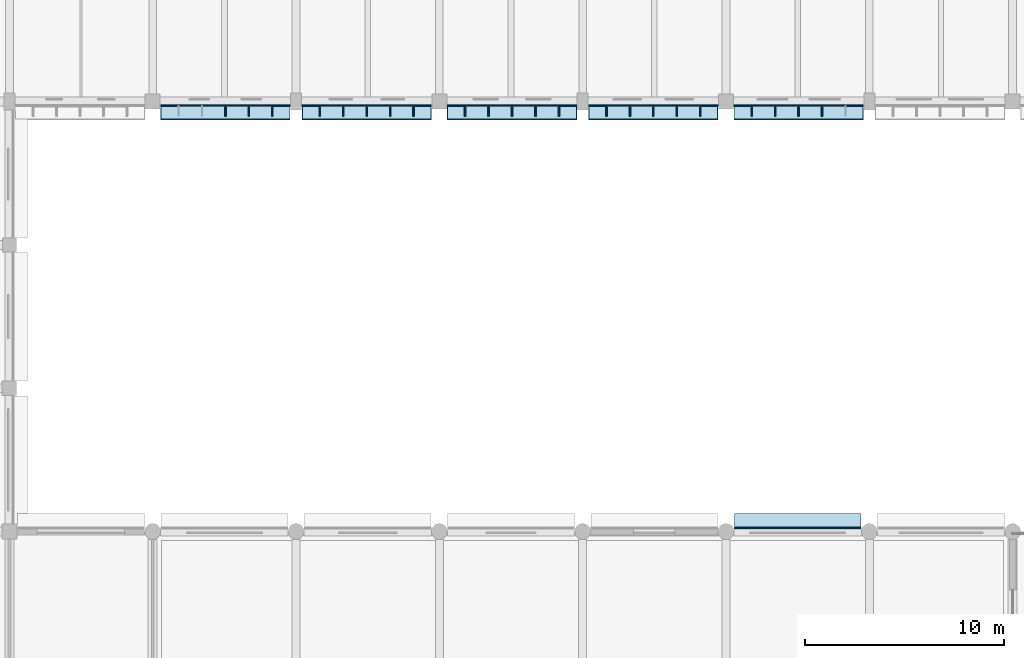
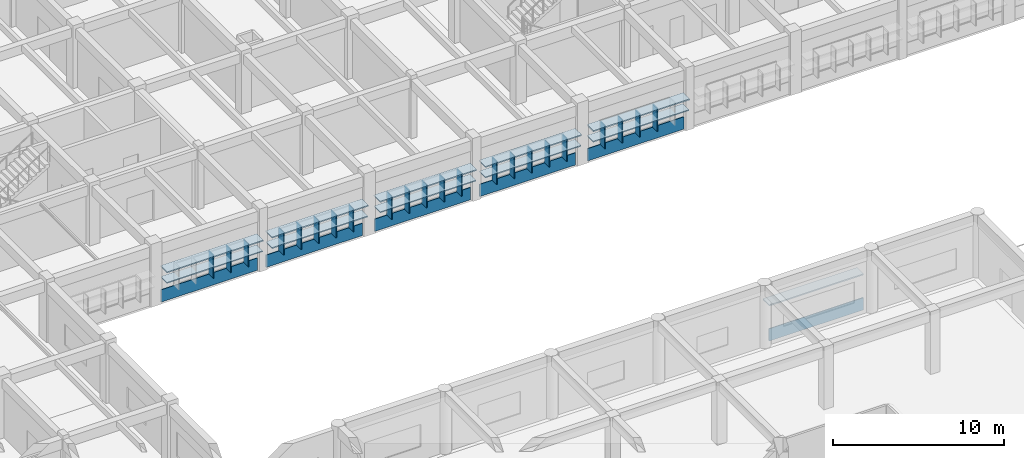
# One storey, part 24 of 61: 39 plates.
"""IFC4 building model written with IfcOpenShell, lengths in metres."""

from ifc_helpers import new_model, si_unit, direction, frame, origin, origin_2d, place, context, subcontext, project, spatial, rectangle, extrude, material, layer, layer_set, type_object, element, save


model = new_model("IFC4")

# Units and contexts
model_context = context("Model", 3, precision=1e-05, world=origin(), true_north=direction((0.0, 1.0)))
body_context = subcontext(model_context, "Body", "Model", "MODEL_VIEW")
ifc_project = project(units=[si_unit("LENGTHUNIT", "METRE"), si_unit("AREAUNIT", "SQUARE_METRE"), si_unit("VOLUMEUNIT", "CUBIC_METRE"), si_unit("PLANEANGLEUNIT", "RADIAN"), si_unit("MASSUNIT", "GRAM", prefix="KILO")], contexts=[model_context])

# Site, building, storey
site_placement = place(None, origin())
site = spatial("IfcSite", under=ifc_project, at=site_placement, CompositionType="ELEMENT")
building_placement = place(site_placement, origin())
building = spatial("IfcBuilding", under=site, at=building_placement, Name="Thalmaran Polytechnic", CompositionType="ELEMENT")
storey_placement = place(building_placement, frame((0.0, 0.0, 9.89990234375)))
storey = spatial("IfcBuildingStorey", under=building, at=storey_placement, Name="L02", CompositionType="ELEMENT", Elevation=9.89990234375)

# Plates
ifc_material_1 = material(Name="Anodised aluminium spandrel band", Category="aluminium")
ifc_layer_1 = layer(ifc_material_1, 0.054931640625, Name="Anodised aluminium spandrel band")
ifc_layer_set_1 = layer_set([ifc_layer_1], Name="Anodised aluminium spandrel band")
plate_type_1 = type_object("IfcPlateType", Name="PT-BD01", PredefinedType="SHEET", material=ifc_layer_set_1)
for number, where, z_axis, x_axis, name in (
    (1, (61.25, 93.405029296875, 0.020263671875), (0.0, 0.0, 1.0), (-1.0, 0.0, 0.0), "Streamline Horizontal Spandrel Band L02-103"),
    (2, (53.949951171875, 93.405029296875, 0.020263671875), (0.0, 0.0, 1.0), (-1.0, 0.0, 0.0), "Streamline Horizontal Spandrel Band L02-104"),
    (3, (46.85009765625, 93.405029296875, 0.020263671875), (0.0, 0.0, 1.0), (-1.0, 0.0, 0.0), "Streamline Horizontal Spandrel Band L02-105"),
    (4, (39.550048828125, 93.405029296875, 0.020263671875), (0.0, 0.0, 1.0), (-1.0, 0.0, 0.0), "Streamline Horizontal Spandrel Band L02-106"),
    (5, (32.449951171875, 93.405029296875, 0.020263671875), (0.0, 0.0, 1.0), (-1.0, 0.0, 0.0), "Streamline Horizontal Spandrel Band L02-107"),
):
    element("IfcPlate", number, at=place(storey_placement, frame(where, z_axis=z_axis, x_axis=x_axis)), inside=storey, type_object=plate_type_1, Name=name, PredefinedType="SHEET", context=body_context, shape_type="SweptSolid", body=[
        extrude(rectangle(XDim=6.510009765625, YDim=0.054931640625, at=origin_2d()), origin(), (0.0, 0.0, 1.0), 0.8798828125),
    ])
plate_1_placement = place(storey_placement, frame((61.199951171875, 72.179931640625, 0.020263671875), z_axis=(0.0, 0.0, 1.0), x_axis=(1.0, 0.0, 0.0)))
element("IfcPlate", 6, at=plate_1_placement, inside=storey, type_object=plate_type_1, Name="Streamline Horizontal Spandrel Band L02-117", PredefinedType="SHEET", context=body_context, shape_type="SweptSolid", body=[
    extrude(rectangle(XDim=6.360107421875, YDim=0.054931640625, at=origin_2d()), origin(), (0.0, 0.0, 1.0), 0.8798828125),
])
ifc_material_2 = material(Name="Anodised aluminium sun-hood eyebrow", Category="aluminium")
ifc_layer_2 = layer(ifc_material_2, 0.0849609375, Name="Anodised aluminium sun-hood eyebrow")
ifc_layer_set_2 = layer_set([ifc_layer_2], Name="Anodised aluminium sun-hood eyebrow")
plate_type_2 = type_object("IfcPlateType", Name="PT-EB01", PredefinedType="SHEET", material=ifc_layer_set_2)
plate_2_placement = place(storey_placement, frame((61.25, 93.06005859375, 2.517578125), z_axis=(0.0, 0.0, 1.0), x_axis=(-1.0, 0.0, 0.0)))
element("IfcPlate", 7, at=plate_2_placement, inside=storey, type_object=plate_type_2, Name="Streamline Sun-Hood Eyebrow L02-103", PredefinedType="SHEET", context=body_context, shape_type="SweptSolid", body=[
    extrude(rectangle(XDim=6.510009765625, YDim=0.760009765625, at=origin_2d()), origin(), (0.0, 0.0, 1.0), 0.0849609375),
])
plate_3_placement = place(storey_placement, frame((61.25, 93.080078125, 1.74267578125), z_axis=(0.0, 0.0, 1.0), x_axis=(-1.0, 0.0, 0.0)))
element("IfcPlate", 8, at=plate_3_placement, inside=storey, type_object=plate_type_2, Name="Abu Dhabi Horizontal Solar Louvre L02-103", PredefinedType="SHEET", context=body_context, shape_type="SweptSolid", body=[
    extrude(rectangle(XDim=6.469970703125, YDim=0.719970703125, at=origin_2d()), origin(), (0.0, 0.0, 1.0), 0.074951171875),
])
plate_4_placement = place(storey_placement, frame((53.949951171875, 93.06005859375, 2.517578125), z_axis=(0.0, 0.0, 1.0), x_axis=(-1.0, 0.0, 0.0)))
element("IfcPlate", 9, at=plate_4_placement, inside=storey, type_object=plate_type_2, Name="Streamline Sun-Hood Eyebrow L02-104", PredefinedType="SHEET", context=body_context, shape_type="SweptSolid", body=[
    extrude(rectangle(XDim=6.510009765625, YDim=0.760009765625, at=origin_2d()), origin(), (0.0, 0.0, 1.0), 0.0849609375),
])
plate_5_placement = place(storey_placement, frame((53.949951171875, 93.080078125, 1.74267578125), z_axis=(0.0, 0.0, 1.0), x_axis=(-1.0, 0.0, 0.0)))
element("IfcPlate", 10, at=plate_5_placement, inside=storey, type_object=plate_type_2, Name="Abu Dhabi Horizontal Solar Louvre L02-104", PredefinedType="SHEET", context=body_context, shape_type="SweptSolid", body=[
    extrude(rectangle(XDim=6.469970703125, YDim=0.719970703125, at=origin_2d()), origin(), (0.0, 0.0, 1.0), 0.074951171875),
])
plate_6_placement = place(storey_placement, frame((46.85009765625, 93.06005859375, 2.517578125), z_axis=(0.0, 0.0, 1.0), x_axis=(-1.0, 0.0, 0.0)))
element("IfcPlate", 11, at=plate_6_placement, inside=storey, type_object=plate_type_2, Name="Streamline Sun-Hood Eyebrow L02-105", PredefinedType="SHEET", context=body_context, shape_type="SweptSolid", body=[
    extrude(rectangle(XDim=6.510009765625, YDim=0.760009765625, at=origin_2d()), origin(), (0.0, 0.0, 1.0), 0.0849609375),
])
plate_7_placement = place(storey_placement, frame((46.85009765625, 93.080078125, 1.74267578125), z_axis=(0.0, 0.0, 1.0), x_axis=(-1.0, 0.0, 0.0)))
element("IfcPlate", 12, at=plate_7_placement, inside=storey, type_object=plate_type_2, Name="Abu Dhabi Horizontal Solar Louvre L02-105", PredefinedType="SHEET", context=body_context, shape_type="SweptSolid", body=[
    extrude(rectangle(XDim=6.469970703125, YDim=0.719970703125, at=origin_2d()), origin(), (0.0, 0.0, 1.0), 0.074951171875),
])
plate_8_placement = place(storey_placement, frame((39.550048828125, 93.06005859375, 2.517578125), z_axis=(0.0, 0.0, 1.0), x_axis=(-1.0, 0.0, 0.0)))
element("IfcPlate", 13, at=plate_8_placement, inside=storey, type_object=plate_type_2, Name="Streamline Sun-Hood Eyebrow L02-106", PredefinedType="SHEET", context=body_context, shape_type="SweptSolid", body=[
    extrude(rectangle(XDim=6.510009765625, YDim=0.760009765625, at=origin_2d()), origin(), (0.0, 0.0, 1.0), 0.0849609375),
])
plate_9_placement = place(storey_placement, frame((39.550048828125, 93.080078125, 1.74267578125), z_axis=(0.0, 0.0, 1.0), x_axis=(-1.0, 0.0, 0.0)))
element("IfcPlate", 14, at=plate_9_placement, inside=storey, type_object=plate_type_2, Name="Abu Dhabi Horizontal Solar Louvre L02-106", PredefinedType="SHEET", context=body_context, shape_type="SweptSolid", body=[
    extrude(rectangle(XDim=6.469970703125, YDim=0.719970703125, at=origin_2d()), origin(), (0.0, 0.0, 1.0), 0.074951171875),
])
plate_10_placement = place(storey_placement, frame((32.449951171875, 93.06005859375, 2.517578125), z_axis=(0.0, 0.0, 1.0), x_axis=(-1.0, 0.0, 0.0)))
element("IfcPlate", 15, at=plate_10_placement, inside=storey, type_object=plate_type_2, Name="Streamline Sun-Hood Eyebrow L02-107", PredefinedType="SHEET", context=body_context, shape_type="SweptSolid", body=[
    extrude(rectangle(XDim=6.510009765625, YDim=0.760009765625, at=origin_2d()), origin(), (0.0, 0.0, 1.0), 0.0849609375),
])
plate_11_placement = place(storey_placement, frame((32.449951171875, 93.080078125, 1.74267578125), z_axis=(0.0, 0.0, 1.0), x_axis=(-1.0, 0.0, 0.0)))
element("IfcPlate", 16, at=plate_11_placement, inside=storey, type_object=plate_type_2, Name="Abu Dhabi Horizontal Solar Louvre L02-107", PredefinedType="SHEET", context=body_context, shape_type="SweptSolid", body=[
    extrude(rectangle(XDim=6.469970703125, YDim=0.719970703125, at=origin_2d()), origin(), (0.0, 0.0, 1.0), 0.074951171875),
])
plate_12_placement = place(storey_placement, frame((61.199951171875, 72.52490234375, 2.517578125), z_axis=(0.0, 0.0, 1.0), x_axis=(1.0, 0.0, 0.0)))
element("IfcPlate", 17, at=plate_12_placement, inside=storey, type_object=plate_type_2, Name="Streamline Sun-Hood Eyebrow L02-117", PredefinedType="SHEET", context=body_context, shape_type="SweptSolid", body=[
    extrude(rectangle(XDim=6.360107421875, YDim=0.760009765625, at=origin_2d()), origin(), (0.0, 0.0, 1.0), 0.0849609375),
])
ifc_material_3 = material(Name="Anodised bronze brise-soleil fin")
ifc_layer_3 = layer(ifc_material_3, 0.06494140625, Name="Anodised bronze brise-soleil fin")
ifc_layer_set_3 = layer_set([ifc_layer_3], Name="Anodised bronze brise-soleil fin")
plate_type_3 = type_object("IfcPlateType", Name="PT-FN01", PredefinedType="SHEET", material=ifc_layer_set_3)
for number, where, z_axis, x_axis, name in (
    (18, (62.428955078125, 93.139892578125, 0.895263671875), (0.0, 0.0, 1.0), (-1.0, 0.0, 0.0), "Abu Dhabi Solar Brise-Soleil Fin L02-103-2"),
    (19, (61.25, 93.139892578125, 0.895263671875), (0.0, 0.0, 1.0), (-1.0, 0.0, 0.0), "Abu Dhabi Solar Brise-Soleil Fin L02-103-3"),
    (20, (60.071044921875, 93.139892578125, 0.895263671875), (0.0, 0.0, 1.0), (-1.0, 0.0, 0.0), "Abu Dhabi Solar Brise-Soleil Fin L02-103-4"),
    (21, (58.89208984375, 93.139892578125, 0.895263671875), (0.0, 0.0, 1.0), (-1.0, 0.0, 0.0), "Abu Dhabi Solar Brise-Soleil Fin L02-103-5"),
    (22, (56.30810546875, 93.139892578125, 0.895263671875), (0.0, 0.0, 1.0), (-1.0, 0.0, 0.0), "Abu Dhabi Solar Brise-Soleil Fin L02-104-1"),
    (23, (55.12890625, 93.139892578125, 0.895263671875), (0.0, 0.0, 1.0), (-1.0, 0.0, 0.0), "Abu Dhabi Solar Brise-Soleil Fin L02-104-2"),
    (24, (53.949951171875, 93.139892578125, 0.895263671875), (0.0, 0.0, 1.0), (-1.0, 0.0, 0.0), "Abu Dhabi Solar Brise-Soleil Fin L02-104-3"),
    (25, (52.77099609375, 93.139892578125, 0.895263671875), (0.0, 0.0, 1.0), (-1.0, 0.0, 0.0), "Abu Dhabi Solar Brise-Soleil Fin L02-104-4"),
    (26, (51.592041015625, 93.139892578125, 0.895263671875), (0.0, 0.0, 1.0), (-1.0, 0.0, 0.0), "Abu Dhabi Solar Brise-Soleil Fin L02-104-5"),
    (27, (49.2080078125, 93.139892578125, 0.895263671875), (0.0, 0.0, 1.0), (-1.0, 0.0, 0.0), "Abu Dhabi Solar Brise-Soleil Fin L02-105-1"),
    (28, (48.029052734375, 93.139892578125, 0.895263671875), (0.0, 0.0, 1.0), (-1.0, 0.0, 0.0), "Abu Dhabi Solar Brise-Soleil Fin L02-105-2"),
    (29, (46.85009765625, 93.139892578125, 0.895263671875), (0.0, 0.0, 1.0), (-1.0, 0.0, 0.0), "Abu Dhabi Solar Brise-Soleil Fin L02-105-3"),
    (30, (45.6708984375, 93.139892578125, 0.895263671875), (0.0, 0.0, 1.0), (-1.0, 0.0, 0.0), "Abu Dhabi Solar Brise-Soleil Fin L02-105-4"),
    (31, (44.491943359375, 93.139892578125, 0.895263671875), (0.0, 0.0, 1.0), (-1.0, 0.0, 0.0), "Abu Dhabi Solar Brise-Soleil Fin L02-105-5"),
    (32, (41.907958984375, 93.139892578125, 0.895263671875), (0.0, 0.0, 1.0), (-1.0, 0.0, 0.0), "Abu Dhabi Solar Brise-Soleil Fin L02-106-1"),
    (33, (40.72900390625, 93.139892578125, 0.895263671875), (0.0, 0.0, 1.0), (-1.0, 0.0, 0.0), "Abu Dhabi Solar Brise-Soleil Fin L02-106-2"),
    (34, (39.550048828125, 93.139892578125, 0.895263671875), (0.0, 0.0, 1.0), (-1.0, 0.0, 0.0), "Abu Dhabi Solar Brise-Soleil Fin L02-106-3"),
    (35, (38.37109375, 93.139892578125, 0.895263671875), (0.0, 0.0, 1.0), (-1.0, 0.0, 0.0), "Abu Dhabi Solar Brise-Soleil Fin L02-106-4"),
    (36, (37.19189453125, 93.139892578125, 0.895263671875), (0.0, 0.0, 1.0), (-1.0, 0.0, 0.0), "Abu Dhabi Solar Brise-Soleil Fin L02-106-5"),
    (37, (34.80810546875, 93.139892578125, 0.895263671875), (0.0, 0.0, 1.0), (-1.0, 0.0, 0.0), "Abu Dhabi Solar Brise-Soleil Fin L02-107-1"),
    (38, (33.62890625, 93.139892578125, 0.895263671875), (0.0, 0.0, 1.0), (-1.0, 0.0, 0.0), "Abu Dhabi Solar Brise-Soleil Fin L02-107-2"),
    (39, (32.449951171875, 93.139892578125, 0.895263671875), (0.0, 0.0, 1.0), (-1.0, 0.0, 0.0), "Abu Dhabi Solar Brise-Soleil Fin L02-107-3"),
):
    element("IfcPlate", number, at=place(storey_placement, frame(where, z_axis=z_axis, x_axis=x_axis)), inside=storey, type_object=plate_type_3, Name=name, PredefinedType="SHEET", context=body_context, shape_type="SweptSolid", body=[
        extrude(rectangle(XDim=0.06494140625, YDim=0.56005859375, at=origin_2d()), origin(), (0.0, 0.0, 1.0), 1.64990234375),
    ])

save(model, "model.ifc")
